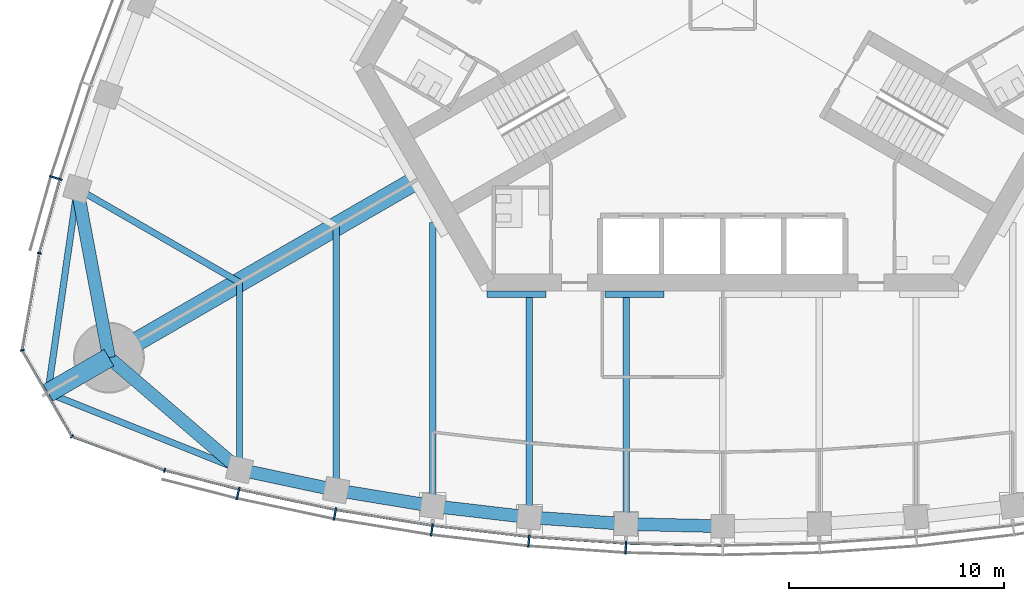
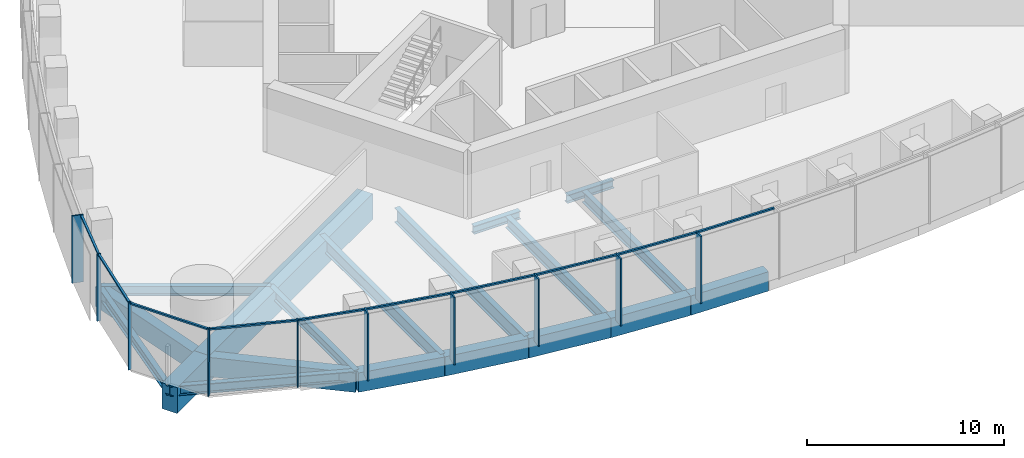
# One storey, part 2 of 20: 20 members, 19 beams, 3 elements without a shape of their own.
"""IFC4 building model written with IfcOpenShell, lengths in metres."""

from ifc_helpers import new_model, si_unit, direction, frame, origin, origin_2d, place, context, subcontext, project, spatial, rectangle, i_section, extrude, material, material_profile, profile_set, type_object, element, aggregate, save


model = new_model("IFC4")

# Units and contexts
model_context = context("Model", 3, precision=1e-05, world=origin(), true_north=direction((0.0, 1.0)))
body_context = subcontext(model_context, "Body", "Model", "MODEL_VIEW")
ifc_project = project(units=[si_unit("LENGTHUNIT", "METRE"), si_unit("AREAUNIT", "SQUARE_METRE"), si_unit("VOLUMEUNIT", "CUBIC_METRE"), si_unit("PLANEANGLEUNIT", "RADIAN"), si_unit("MASSUNIT", "GRAM", prefix="KILO")], contexts=[model_context])

# Site, building, storey
site_placement = place(None, origin())
site = spatial("IfcSite", under=ifc_project, at=site_placement, CompositionType="ELEMENT")
building_placement = place(site_placement, origin())
building = spatial("IfcBuilding", under=site, at=building_placement, Name="Trefoil Bronze Tower", CompositionType="ELEMENT")
storey_placement = place(building_placement, frame((0.0, 0.0, 210.699951171875)))
storey = spatial("IfcBuildingStorey", under=building, at=storey_placement, Name="L48", CompositionType="ELEMENT", Elevation=210.699951171875)

# Curtain wall, members
ifc_material_1 = material(Name="Tinted solar-control glass", Category="glass")
curtain_wall_type_1 = type_object("IfcCurtainWallType", Name="Bronze office curtain wall", PredefinedType="USERDEFINED", material=ifc_material_1)
curtain_wall_1_placement = place(storey_placement, origin())
curtain_wall_1 = element("IfcCurtainWall", 1, at=curtain_wall_1_placement, inside=storey, type_object=curtain_wall_type_1, Name="CW-A L48 F1", ObjectType="CURTAIN WALL", PredefinedType="USERDEFINED")
ifc_material_2 = material(Name="Bronze-finish aluminium", Category="aluminium")
ifc_material_profile_1 = material_profile(ifc_material_2, rectangle(XDim=0.60009765625, YDim=0.080078125, at=origin_2d()), Name="CW-A mullion")
ifc_profile_set_1 = profile_set([ifc_material_profile_1], Name="Bronze-finish aluminium")
member_type_1 = type_object("IfcMemberType", Name="Bronze office curtain wall mullion", PredefinedType="MULLION", material=ifc_profile_set_1)
member_1_placement = place(storey_placement, frame((-22.568115234375, -22.82421875, 0.0), z_axis=(0.0, 0.0, 1.0), x_axis=(0.227082662569, 0.973875487093, 0.0)))
member_1 = element("IfcMember", 2, at=member_1_placement, type_object=member_type_1, Name="CW-A L48 F1 mullion 2", PredefinedType="MULLION", context=body_context, shape_type="SweptSolid", body=[
    extrude(rectangle(XDim=0.60009765625, YDim=0.080078125, at=origin_2d()), origin(), (0.0, 0.0, 1.0), 4.179931640625),
])
member_2_placement = place(storey_placement, frame((-18.05517578125, -23.77783203125, 0.0), z_axis=(0.0, 0.0, 1.0), x_axis=(0.183825368167, 0.982958917767, 0.0)))
member_2 = element("IfcMember", 3, at=member_2_placement, type_object=member_type_1, Name="CW-A L48 F1 mullion 3", PredefinedType="MULLION", context=body_context, shape_type="SweptSolid", body=[
    extrude(rectangle(XDim=0.60009765625, YDim=0.080078125, at=origin_2d()), origin(), (0.0, 0.0, 1.0), 4.179931640625),
])
member_3_placement = place(storey_placement, frame((-13.541259765625, -24.51318359375, 0.0), z_axis=(0.0, 0.0, 1.0), x_axis=(0.137867887204, 0.990450627582, 0.0)))
member_3 = element("IfcMember", 4, at=member_3_placement, type_object=member_type_1, Name="CW-A L48 F1 mullion 4", PredefinedType="MULLION", context=body_context, shape_type="SweptSolid", body=[
    extrude(rectangle(XDim=0.60009765625, YDim=0.080078125, at=origin_2d()), origin(), (0.0, 0.0, 1.0), 4.179931640625),
])
member_4_placement = place(storey_placement, frame((-9.027587890625, -25.03515625, 0.0), z_axis=(0.0, 0.0, 1.0), x_axis=(0.091911396394, 0.995767189263, 0.0)))
member_4 = element("IfcMember", 5, at=member_4_placement, type_object=member_type_1, Name="CW-A L48 F1 mullion 5", PredefinedType="MULLION", context=body_context, shape_type="SweptSolid", body=[
    extrude(rectangle(XDim=0.60009765625, YDim=0.080078125, at=origin_2d()), origin(), (0.0, 0.0, 1.0), 4.179931640625),
])
member_5_placement = place(storey_placement, frame((-4.513671875, -25.346923828125, 0.0), z_axis=(0.0, 0.0, 1.0), x_axis=(0.045955542372, 0.998943485952, 0.0)))
member_5 = element("IfcMember", 6, at=member_5_placement, type_object=member_type_1, Name="CW-A L48 F1 mullion 6", PredefinedType="MULLION", context=body_context, shape_type="SweptSolid", body=[
    extrude(rectangle(XDim=0.60009765625, YDim=0.080078125, at=origin_2d()), origin(), (0.0, 0.0, 1.0), 4.179931640625),
])

# Curtain wall, member
curtain_wall_2_placement = place(storey_placement, origin())
curtain_wall_2 = element("IfcCurtainWall", 7, at=curtain_wall_2_placement, inside=storey, type_object=curtain_wall_type_1, Name="CW-A L48 F3", ObjectType="CURTAIN WALL", PredefinedType="USERDEFINED")
member_6_placement = place(storey_placement, frame((-31.05029296875, -8.132568359375, 0.0), z_axis=(0.0, 0.0, 1.0), x_axis=(0.95694224323, -0.290278389002, 0.0)))
member_6 = element("IfcMember", 8, at=member_6_placement, type_object=member_type_1, Name="CW-A L48 F3 mullion 12", PredefinedType="MULLION", context=body_context, shape_type="SweptSolid", body=[
    extrude(rectangle(XDim=0.60009765625, YDim=0.080078125, at=origin_2d()), origin(), (0.0, 0.0, 1.0), 4.179931640625),
])

# Member
ifc_material_3 = material(Name="Bronze-finish aluminium", Category="aluminium")
ifc_material_profile_2 = material_profile(ifc_material_3, rectangle(XDim=0.1201171875, YDim=0.10009765625, at=origin_2d()), Name="CW-A transom")
ifc_profile_set_2 = profile_set([ifc_material_profile_2], Name="Bronze-finish aluminium")
member_type_2 = type_object("IfcMemberType", Name="Bronze office curtain wall transom", PredefinedType="USERDEFINED", material=ifc_profile_set_2)
member_7_placement = place(storey_placement, frame((-25.93896484375, -21.75732421875, 4.130126953125), z_axis=(0.968935220916, -0.247314653162, 0.0), x_axis=(0.247314653162, 0.968935220916, 0.0)))
member_7 = element("IfcMember", 9, at=member_7_placement, type_object=member_type_2, Name="CW-A L48 F1 transom 1", ObjectType="TRANSOM", PredefinedType="USERDEFINED", context=body_context, shape_type="SweptSolid", body=[
    extrude(rectangle(XDim=0.1201171875, YDim=0.10009765625, at=origin_2d()), origin(), (0.0, 0.0, 1.0), 3.483642578125),
])

member_8_placement = place(storey_placement, frame((-22.4814453125, -22.63818359375, 4.130126953125), z_axis=(0.978395325657, -0.20674280334, 0.0), x_axis=(0.20674280334, 0.978395325657, 0.0)))
member_8 = element("IfcMember", 10, at=member_8_placement, type_object=member_type_2, Name="CW-A L48 F1 transom 2", ObjectType="TRANSOM", PredefinedType="USERDEFINED", context=body_context, shape_type="SweptSolid", body=[
    extrude(rectangle(XDim=0.1201171875, YDim=0.10009765625, at=origin_2d()), origin(), (0.0, 0.0, 1.0), 4.519287109375),
])

member_9_placement = place(storey_placement, frame((-17.9765625, -23.588134765625, 4.130126953125), z_axis=(0.986988367046, -0.160791676761, 0.0), x_axis=(0.160791676761, 0.986988367046, 0.0)))
member_9 = element("IfcMember", 11, at=member_9_placement, type_object=member_type_2, Name="CW-A L48 F1 transom 3", ObjectType="TRANSOM", PredefinedType="USERDEFINED", context=body_context, shape_type="SweptSolid", body=[
    extrude(rectangle(XDim=0.1201171875, YDim=0.10009765625, at=origin_2d()), origin(), (0.0, 0.0, 1.0), 4.479248046875),
])

member_10_placement = place(storey_placement, frame((-13.4716796875, -24.320068359375, 4.130126953125), z_axis=(0.993384885596, -0.114832352013, 0.0), x_axis=(0.114832352013, 0.993384885596, 0.0)))
member_10 = element("IfcMember", 12, at=member_10_placement, type_object=member_type_2, Name="CW-A L48 F1 transom 4", ObjectType="TRANSOM", PredefinedType="USERDEFINED", context=body_context, shape_type="SweptSolid", body=[
    extrude(rectangle(XDim=0.1201171875, YDim=0.10009765625, at=origin_2d()), origin(), (0.0, 0.0, 1.0), 4.449951171875),
])

member_11_placement = place(storey_placement, frame((-8.967041015625, -24.8388671875, 4.130126953125), z_axis=(0.997621320987, -0.06893257512, 0.0), x_axis=(0.06893257512, 0.997621320987, 0.0)))
member_11 = element("IfcMember", 13, at=member_11_placement, type_object=member_type_2, Name="CW-A L48 F1 transom 5", ObjectType="TRANSOM", PredefinedType="USERDEFINED", context=body_context, shape_type="SweptSolid", body=[
    extrude(rectangle(XDim=0.1201171875, YDim=0.10009765625, at=origin_2d()), origin(), (0.0, 0.0, 1.0), 4.4306640625),
])

member_12_placement = place(storey_placement, frame((-4.46240234375, -25.148193359375, 4.130126953125), z_axis=(0.999736131416, -0.022971015226, 0.0), x_axis=(0.022971015226, 0.999736131416, 0.0)))
member_12 = element("IfcMember", 14, at=member_12_placement, type_object=member_type_2, Name="CW-A L48 F1 transom 6", ObjectType="TRANSOM", PredefinedType="USERDEFINED", context=body_context, shape_type="SweptSolid", body=[
    extrude(rectangle(XDim=0.1201171875, YDim=0.10009765625, at=origin_2d()), origin(), (0.0, 0.0, 1.0), 4.42138671875),
])

aggregate(curtain_wall_1, [member_1, member_2, member_3, member_4, member_5, member_7, member_8, member_9, member_10, member_11, member_12])

member_13_placement = place(storey_placement, frame((-30.870361328125, -8.23095703125, 4.130126953125), z_axis=(-0.270284880437, -0.962780392097, 0.0), x_axis=(0.962780392097, -0.270284880437, 0.0)))
member_13 = element("IfcMember", 15, at=member_13_placement, type_object=member_type_2, Name="CW-A L48 F3 transom 12", ObjectType="TRANSOM", PredefinedType="USERDEFINED", context=body_context, shape_type="SweptSolid", body=[
    extrude(rectangle(XDim=0.1201171875, YDim=0.10009765625, at=origin_2d()), origin(), (0.0, 0.0, 1.0), 3.48388671875),
])

aggregate(curtain_wall_2, [member_6, member_13])

# Curtain wall, members
ifc_material_4 = material(Name="Tinted solar-control glass", Category="glass")
curtain_wall_type_2 = type_object("IfcCurtainWallType", Name="Bronze rounded corner curtain wall", PredefinedType="USERDEFINED", material=ifc_material_4)
curtain_wall_3_placement = place(storey_placement, origin())
curtain_wall_3 = element("IfcCurtainWall", 16, at=curtain_wall_3_placement, inside=storey, type_object=curtain_wall_type_2, Name="CW-B L48 K3", ObjectType="CURTAIN WALL", PredefinedType="USERDEFINED")
ifc_material_5 = material(Name="Bronze-finish aluminium", Category="aluminium")
ifc_material_profile_3 = material_profile(ifc_material_5, rectangle(XDim=0.199951171875, YDim=0.06005859375, at=origin_2d()), Name="CW-B mullion")
ifc_profile_set_3 = profile_set([ifc_material_profile_3], Name="Bronze-finish aluminium")
member_type_3 = type_object("IfcMemberType", Name="Bronze rounded corner curtain wall mullion", PredefinedType="MULLION", material=ifc_profile_set_3)
member_14_placement = place(storey_placement, frame((-31.824951171875, -11.63330078125, 0.0), z_axis=(0.0, 0.0, 1.0), x_axis=(0.984807753012, -0.173648177667, 0.0)))
member_14 = element("IfcMember", 17, at=member_14_placement, type_object=member_type_3, Name="CW-B L48 K3 mullion 1", PredefinedType="MULLION", context=body_context, shape_type="SweptSolid", body=[
    extrude(rectangle(XDim=0.199951171875, YDim=0.06005859375, at=origin_2d()), origin(), (0.0, 0.0, 1.0), 4.179931640625),
])
member_15_placement = place(storey_placement, frame((-32.616943359375, -16.158935546875, 0.0), z_axis=(0.0, 0.0, 1.0), x_axis=(0.984807753012, 0.173648177667, 0.0)))
member_15 = element("IfcMember", 18, at=member_15_placement, type_object=member_type_3, Name="CW-B L48 K3 mullion 2", PredefinedType="MULLION", context=body_context, shape_type="SweptSolid", body=[
    extrude(rectangle(XDim=0.199951171875, YDim=0.06005859375, at=origin_2d()), origin(), (0.0, 0.0, 1.0), 4.179931640625),
])
member_16_placement = place(storey_placement, frame((-30.302490234375, -20.16748046875, 0.0), z_axis=(0.0, 0.0, 1.0), x_axis=(0.642787609687, 0.766044443119, 0.0)))
member_16 = element("IfcMember", 19, at=member_16_placement, type_object=member_type_3, Name="CW-B L48 K3 mullion 3", PredefinedType="MULLION", context=body_context, shape_type="SweptSolid", body=[
    extrude(rectangle(XDim=0.199951171875, YDim=0.06005859375, at=origin_2d()), origin(), (0.0, 0.0, 1.0), 4.179931640625),
])
member_17_placement = place(storey_placement, frame((-25.9873046875, -21.74462890625, 0.0), z_axis=(0.0, 0.0, 1.0), x_axis=(0.342020143326, 0.939692620786, 0.0)))
member_17 = element("IfcMember", 20, at=member_17_placement, type_object=member_type_3, Name="CW-B L48 K3 mullion 4", PredefinedType="MULLION", context=body_context, shape_type="SweptSolid", body=[
    extrude(rectangle(XDim=0.199951171875, YDim=0.06005859375, at=origin_2d()), origin(), (0.0, 0.0, 1.0), 4.179931640625),
])
ifc_material_6 = material(Name="Bronze-finish aluminium", Category="aluminium")
ifc_material_profile_4 = material_profile(ifc_material_6, rectangle(XDim=0.1201171875, YDim=0.10009765625, at=origin_2d()), Name="CW-B transom")
ifc_profile_set_4 = profile_set([ifc_material_profile_4], Name="Bronze-finish aluminium")
member_type_4 = type_object("IfcMemberType", Name="Bronze rounded corner curtain wall transom", PredefinedType="USERDEFINED", material=ifc_profile_set_4)
member_18_placement = place(storey_placement, frame((-31.830078125, -11.662841796875, 4.130126953125), z_axis=(-0.173655350028, -0.984806488304, 0.0), x_axis=(0.984806488304, -0.173655350028, 0.0)))
member_18 = element("IfcMember", 21, at=member_18_placement, type_object=member_type_4, Name="CW-B L48 K3 transom 1", ObjectType="TRANSOM", PredefinedType="USERDEFINED", context=body_context, shape_type="SweptSolid", body=[
    extrude(rectangle(XDim=0.1201171875, YDim=0.10009765625, at=origin_2d()), origin(), (0.0, 0.0, 1.0), 4.500244140625),
])
member_19_placement = place(storey_placement, frame((-32.590087890625, -16.217529296875, 4.130126953125), z_axis=(0.500007335828, -0.866021168401, 0.0), x_axis=(0.866021168401, 0.500007335828, 0.0)))
member_19 = element("IfcMember", 22, at=member_19_placement, type_object=member_type_4, Name="CW-B L48 K3 transom 2", ObjectType="TRANSOM", PredefinedType="USERDEFINED", context=body_context, shape_type="SweptSolid", body=[
    extrude(rectangle(XDim=0.1201171875, YDim=0.10009765625, at=origin_2d()), origin(), (0.0, 0.0, 1.0), 4.50048828125),
])
member_20_placement = place(storey_placement, frame((-30.244140625, -20.195068359375, 4.130126953125), z_axis=(0.939680910753, -0.342052314664, 0.0), x_axis=(0.342052314664, 0.939680910753, 0.0)))
member_20 = element("IfcMember", 23, at=member_20_placement, type_object=member_type_4, Name="CW-B L48 K3 transom 3", ObjectType="TRANSOM", PredefinedType="USERDEFINED", context=body_context, shape_type="SweptSolid", body=[
    extrude(rectangle(XDim=0.1201171875, YDim=0.10009765625, at=origin_2d()), origin(), (0.0, 0.0, 1.0), 4.500244140625),
])
aggregate(curtain_wall_3, [member_14, member_15, member_16, member_17, member_18, member_19, member_20])

# Beams
ifc_material_7 = material(Name="Steel C355", Category="steel")
ifc_material_profile_5 = material_profile(ifc_material_7, i_section(OverallWidth=0.300048828125, OverallDepth=0.5, WebThickness=0.014404296875, FlangeThickness=0.028076171875, FilletRadius=0.027099609375, at=origin_2d()), Name="HEB 500")
ifc_profile_set_5 = profile_set([ifc_material_profile_5], Name="Steel C355")
beam_type_1 = type_object("IfcBeamType", Name="Core seat beam HEB 500", PredefinedType="BEAM", material=ifc_profile_set_5)
for number, where, z_axis, x_axis, name in (
    (24, (-10.9697265625, -13.550048828125, -0.449951171875), (1.0, 0.0, 0.0), (0.0, 1.0, 0.0), "Core seat beam F1/-2 L48"),
    (25, (-5.48486328125, -13.550048828125, -0.449951171875), (1.0, 0.0, 0.0), (0.0, 1.0, 0.0), "Core seat beam F1/-1 L48"),
):
    element("IfcBeam", number, at=place(storey_placement, frame(where, z_axis=z_axis, x_axis=x_axis)), inside=storey, type_object=beam_type_1, Name=name, PredefinedType="BEAM", context=body_context, shape_type="SweptSolid", body=[
        extrude(i_section(OverallWidth=0.300048828125, OverallDepth=0.5, WebThickness=0.014404296875, FlangeThickness=0.028076171875, FilletRadius=0.027099609375, at=origin_2d()), origin(), (0.0, 0.0, 1.0), 2.742431640625),
    ])
ifc_material_8 = material(Name="Concrete B80", Category="concrete")
ifc_material_profile_6 = material_profile(ifc_material_8, rectangle(XDim=0.89990234375, YDim=1.60009765625, at=origin_2d()), Name="RC 900x1600")
ifc_profile_set_6 = profile_set([ifc_material_profile_6], Name="Concrete B80")
beam_type_2 = type_object("IfcBeamType", Name="Corner cantilever RC 900x1600", PredefinedType="BEAM", material=ifc_profile_set_6)
beam_1_placement = place(storey_placement, frame((-28.578857421875, -16.5, -1.0), z_axis=(-0.866016004958, -0.500016278891, 0.0), x_axis=(0.500016278891, -0.866016004958, 0.0)))
element("IfcBeam", 26, at=beam_1_placement, inside=storey, type_object=beam_type_2, Name="Corner cantilever K3 L48", PredefinedType="BEAM", context=body_context, shape_type="SweptSolid", body=[
    extrude(rectangle(XDim=0.89990234375, YDim=1.60009765625, at=origin_2d()), origin(), (0.0, 0.0, 1.0), 3.28466796875),
])
ifc_material_9 = material(Name="Steel C355", Category="steel")
ifc_material_profile_7 = material_profile(ifc_material_9, i_section(OverallWidth=0.300048828125, OverallDepth=0.60009765625, WebThickness=0.015380859375, FlangeThickness=0.030029296875, FilletRadius=0.027099609375, at=origin_2d()), Name="HEB 600")
ifc_profile_set_7 = profile_set([ifc_material_profile_7], Name="Steel C355")
beam_type_3 = type_object("IfcBeamType", Name="Corner edge beam HEB 600", PredefinedType="BEAM", material=ifc_profile_set_7)
for number, where, z_axis, x_axis, name in (
    (27, (-22.5, -21.71044921875, -0.5), (-0.92852048463, 0.371281173266, 0.0), (-0.371281173266, -0.92852048463, 0.0), "Corner edge beam F1B L48"),
    (28, (-30.052001953125, -8.63037109375, -0.5), (-0.142694489722, -0.989766781925, 0.0), (0.989766781925, -0.142694489722, 0.0), "Corner edge beam F3A L48"),
):
    element("IfcBeam", number, at=place(storey_placement, frame(where, z_axis=z_axis, x_axis=x_axis)), inside=storey, type_object=beam_type_3, Name=name, PredefinedType="BEAM", context=body_context, shape_type="SweptSolid", body=[
        extrude(i_section(OverallWidth=0.300048828125, OverallDepth=0.60009765625, WebThickness=0.015380859375, FlangeThickness=0.030029296875, FilletRadius=0.027099609375, at=origin_2d()), origin(), (0.0, 0.0, 1.0), 9.6103515625),
    ])
ifc_material_10 = material(Name="Concrete B80", Category="concrete")
ifc_material_profile_8 = material_profile(ifc_material_10, rectangle(XDim=0.89990234375, YDim=1.60009765625, at=origin_2d()), Name="RC 900x1600")
ifc_profile_set_8 = profile_set([ifc_material_profile_8], Name="Concrete B80")
beam_type_4 = type_object("IfcBeamType", Name="Corner girder RC 900x1600", PredefinedType="BEAM", material=ifc_profile_set_8)
beam_2_placement = place(storey_placement, frame((-14.202880859375, -8.199951171875, -1.0), z_axis=(-0.866023450265, -0.500003383579, 0.0), x_axis=(0.500003383579, -0.866023450265, 0.0)))
element("IfcBeam", 29, at=beam_2_placement, inside=storey, type_object=beam_type_4, Name="Corner girder K3 L48", PredefinedType="BEAM", context=body_context, shape_type="SweptSolid", body=[
    extrude(rectangle(XDim=0.89990234375, YDim=1.60009765625, at=origin_2d()), origin(), (0.0, 0.0, 1.0), 16.60009765625),
])
ifc_material_11 = material(Name="Concrete B80", Category="concrete")
ifc_material_profile_9 = material_profile(ifc_material_11, rectangle(XDim=0.60009765625, YDim=1.199951171875, at=origin_2d()), Name="RC 600x1200")
ifc_profile_set_9 = profile_set([ifc_material_profile_9], Name="Concrete B80")
beam_type_5 = type_object("IfcBeamType", Name="End spandrel beam RC 600x1200", PredefinedType="SPANDREL", material=ifc_profile_set_9)
for number, where, z_axis, x_axis, name in (
    (30, (-28.578857421875, -16.5, -0.800048828125), (0.759256602365, -0.650791373456, 0.0), (0.650791373456, 0.759256602365, 0.0), "Spandrel F1.1 L48"),
    (31, (-30.052001953125, -8.63037109375, -0.800048828125), (0.18399763073, -0.982926686933, 0.0), (0.982926686933, 0.18399763073, 0.0), "Spandrel F3.12 L48"),
):
    element("IfcBeam", number, at=place(storey_placement, frame(where, z_axis=z_axis, x_axis=x_axis)), inside=storey, type_object=beam_type_5, Name=name, PredefinedType="SPANDREL", context=body_context, shape_type="SweptSolid", body=[
        extrude(rectangle(XDim=0.60009765625, YDim=1.199951171875, at=origin_2d()), origin(), (0.0, 0.0, 1.0), 8.00634765625),
    ])
ifc_material_12 = material(Name="Steel C355", Category="steel")
ifc_material_profile_10 = material_profile(ifc_material_12, i_section(OverallWidth=0.300048828125, OverallDepth=0.590087890625, WebThickness=0.012939453125, FlangeThickness=0.02490234375, FilletRadius=0.027099609375, at=origin_2d()), Name="HEA 600")
ifc_profile_set_10 = profile_set([ifc_material_profile_10], Name="Steel C355")
beam_type_6 = type_object("IfcBeamType", Name="Floor beam HEA 600", PredefinedType="BEAM", material=ifc_profile_set_10)
beam_3_placement = place(storey_placement, frame((-22.5, -21.71044921875, -0.494873046875), z_axis=(0.0, 1.0, 0.0), x_axis=(-1.0, 0.0, 0.0)))
element("IfcBeam", 32, at=beam_3_placement, inside=storey, type_object=beam_type_6, Name="Floor beam F1/-5 L48", PredefinedType="BEAM", context=body_context, shape_type="SweptSolid", body=[
    extrude(i_section(OverallWidth=0.300048828125, OverallDepth=0.590087890625, WebThickness=0.012939453125, FlangeThickness=0.02490234375, FilletRadius=0.027099609375, at=origin_2d()), origin(), (0.0, 0.0, 1.0), 8.719970703125),
])
beam_4_placement = place(storey_placement, frame((-30.052001953125, -8.63037109375, -0.494873046875), z_axis=(0.866027535932, -0.499996306993, 0.0), x_axis=(0.499996306993, 0.866027535932, 0.0)))
element("IfcBeam", 33, at=beam_4_placement, inside=storey, type_object=beam_type_6, Name="Floor beam F3/+5 L48", PredefinedType="BEAM", context=body_context, shape_type="SweptSolid", body=[
    extrude(i_section(OverallWidth=0.300048828125, OverallDepth=0.590087890625, WebThickness=0.012939453125, FlangeThickness=0.02490234375, FilletRadius=0.027099609375, at=origin_2d()), origin(), (0.0, 0.0, 1.0), 8.72021484375),
])
ifc_material_13 = material(Name="Steel C355", Category="steel")
ifc_material_profile_11 = material_profile(ifc_material_13, i_section(OverallWidth=0.300048828125, OverallDepth=0.699951171875, WebThickness=0.01708984375, FlangeThickness=0.031982421875, FilletRadius=0.027099609375, at=origin_2d()), Name="HEB 700")
ifc_profile_set_11 = profile_set([ifc_material_profile_11], Name="Steel C355")
beam_type_7 = type_object("IfcBeamType", Name="Floor beam HEB 700", PredefinedType="BEAM", material=ifc_profile_set_11)
beam_5_placement = place(storey_placement, frame((-9.0, -23.932861328125, -0.550048828125), z_axis=(0.0, 1.0, 0.0), x_axis=(-1.0, 0.0, 0.0)))
element("IfcBeam", 34, at=beam_5_placement, inside=storey, type_object=beam_type_7, Name="Floor beam F1/-2 L48", PredefinedType="BEAM", context=body_context, shape_type="SweptSolid", body=[
    extrude(i_section(OverallWidth=0.300048828125, OverallDepth=0.699951171875, WebThickness=0.01708984375, FlangeThickness=0.031982421875, FilletRadius=0.027099609375, at=origin_2d()), origin(), (0.0, 0.0, 1.0), 10.23291015625),
])
beam_6_placement = place(storey_placement, frame((-4.5, -24.246337890625, -0.550048828125), z_axis=(0.0, 1.0, 0.0), x_axis=(-1.0, 0.0, 0.0)))
element("IfcBeam", 35, at=beam_6_placement, inside=storey, type_object=beam_type_7, Name="Floor beam F1/-1 L48", PredefinedType="BEAM", context=body_context, shape_type="SweptSolid", body=[
    extrude(i_section(OverallWidth=0.300048828125, OverallDepth=0.699951171875, WebThickness=0.01708984375, FlangeThickness=0.031982421875, FilletRadius=0.027099609375, at=origin_2d()), origin(), (0.0, 0.0, 1.0), 10.54638671875),
])
ifc_material_14 = material(Name="Steel C355", Category="steel")
ifc_material_profile_12 = material_profile(ifc_material_14, i_section(OverallWidth=0.300048828125, OverallDepth=0.800048828125, WebThickness=0.017578125, FlangeThickness=0.032958984375, FilletRadius=0.030029296875, at=origin_2d()), Name="HEB 800")
ifc_profile_set_12 = profile_set([ifc_material_profile_12], Name="Steel C355")
beam_type_8 = type_object("IfcBeamType", Name="Floor beam HEB 800", PredefinedType="BEAM", material=ifc_profile_set_12)
beam_7_placement = place(storey_placement, frame((-18.0, -22.6689453125, -0.599853515625), z_axis=(0.0, 1.0, 0.0), x_axis=(-1.0, 0.0, 0.0)))
element("IfcBeam", 36, at=beam_7_placement, inside=storey, type_object=beam_type_8, Name="Floor beam F1/-4 L48", PredefinedType="BEAM", context=body_context, shape_type="SweptSolid", body=[
    extrude(i_section(OverallWidth=0.300048828125, OverallDepth=0.800048828125, WebThickness=0.017578125, FlangeThickness=0.032958984375, FilletRadius=0.030029296875, at=origin_2d()), origin(), (0.0, 0.0, 1.0), 12.276611328125),
])
ifc_material_15 = material(Name="Steel C355", Category="steel")
ifc_material_profile_13 = material_profile(ifc_material_15, i_section(OverallWidth=0.300048828125, OverallDepth=0.89990234375, WebThickness=0.0185546875, FlangeThickness=0.034912109375, FilletRadius=0.030029296875, at=origin_2d()), Name="HEB 900")
ifc_profile_set_13 = profile_set([ifc_material_profile_13], Name="Steel C355")
beam_type_9 = type_object("IfcBeamType", Name="Floor beam HEB 900", PredefinedType="BEAM", material=ifc_profile_set_13)
beam_8_placement = place(storey_placement, frame((-13.5, -23.408447265625, -0.64990234375), z_axis=(0.0, 1.0, 0.0), x_axis=(-1.0, 0.0, 0.0)))
element("IfcBeam", 37, at=beam_8_placement, inside=storey, type_object=beam_type_9, Name="Floor beam F1/-3 L48", PredefinedType="BEAM", context=body_context, shape_type="SweptSolid", body=[
    extrude(i_section(OverallWidth=0.300048828125, OverallDepth=0.89990234375, WebThickness=0.0185546875, FlangeThickness=0.034912109375, FilletRadius=0.030029296875, at=origin_2d()), origin(), (0.0, 0.0, 1.0), 13.191162109375),
])
ifc_material_16 = material(Name="Concrete B80", Category="concrete")
ifc_material_profile_14 = material_profile(ifc_material_16, rectangle(XDim=0.60009765625, YDim=1.199951171875, at=origin_2d()), Name="RC 600x1200")
ifc_profile_set_14 = profile_set([ifc_material_profile_14], Name="Concrete B80")
beam_type_10 = type_object("IfcBeamType", Name="Spandrel beam RC 600x1200", PredefinedType="SPANDREL", material=ifc_profile_set_14)
beam_9_placement = place(storey_placement, frame((-22.5, -21.71044921875, -0.800048828125), z_axis=(0.978059483036, -0.208325820877, 0.0), x_axis=(0.208325820877, 0.978059483036, 0.0)))
element("IfcBeam", 38, at=beam_9_placement, inside=storey, type_object=beam_type_10, Name="Spandrel F1.2 L48", PredefinedType="SPANDREL", context=body_context, shape_type="SweptSolid", body=[
    extrude(rectangle(XDim=0.60009765625, YDim=1.199951171875, at=origin_2d()), origin(), (0.0, 0.0, 1.0), 4.600830078125),
])
beam_10_placement = place(storey_placement, frame((-18.0, -22.6689453125, -0.800048828125), z_axis=(0.986764681833, -0.162158757664, 0.0), x_axis=(0.162158757664, 0.986764681833, 0.0)))
element("IfcBeam", 39, at=beam_10_placement, inside=storey, type_object=beam_type_10, Name="Spandrel F1.3 L48", PredefinedType="SPANDREL", context=body_context, shape_type="SweptSolid", body=[
    extrude(rectangle(XDim=0.60009765625, YDim=1.199951171875, at=origin_2d()), origin(), (0.0, 0.0, 1.0), 4.560302734375),
])
beam_11_placement = place(storey_placement, frame((-13.5, -23.408447265625, -0.800048828125), z_axis=(0.993278017132, -0.115753102257, 0.0), x_axis=(0.115753102257, 0.993278017132, 0.0)))
element("IfcBeam", 40, at=beam_11_placement, inside=storey, type_object=beam_type_10, Name="Spandrel F1.4 L48", PredefinedType="SPANDREL", context=body_context, shape_type="SweptSolid", body=[
    extrude(rectangle(XDim=0.60009765625, YDim=1.199951171875, at=origin_2d()), origin(), (0.0, 0.0, 1.0), 4.530517578125),
])
beam_12_placement = place(storey_placement, frame((-9.0, -23.932861328125, -0.800048828125), z_axis=(0.997582435881, -0.069493047291, 0.0), x_axis=(0.069493047291, 0.997582435881, 0.0)))
element("IfcBeam", 41, at=beam_12_placement, inside=storey, type_object=beam_type_10, Name="Spandrel F1.5 L48", PredefinedType="SPANDREL", context=body_context, shape_type="SweptSolid", body=[
    extrude(rectangle(XDim=0.60009765625, YDim=1.199951171875, at=origin_2d()), origin(), (0.0, 0.0, 1.0), 4.510986328125),
])
beam_13_placement = place(storey_placement, frame((-4.5, -24.246337890625, -0.800048828125), z_axis=(0.999731770792, -0.023160018779, 0.0), x_axis=(0.023160018779, 0.999731770792, 0.0)))
element("IfcBeam", 42, at=beam_13_placement, inside=storey, type_object=beam_type_10, Name="Spandrel F1.6 L48", PredefinedType="SPANDREL", context=body_context, shape_type="SweptSolid", body=[
    extrude(rectangle(XDim=0.60009765625, YDim=1.199951171875, at=origin_2d()), origin(), (0.0, 0.0, 1.0), 4.501220703125),
])

save(model, "model.ifc")
